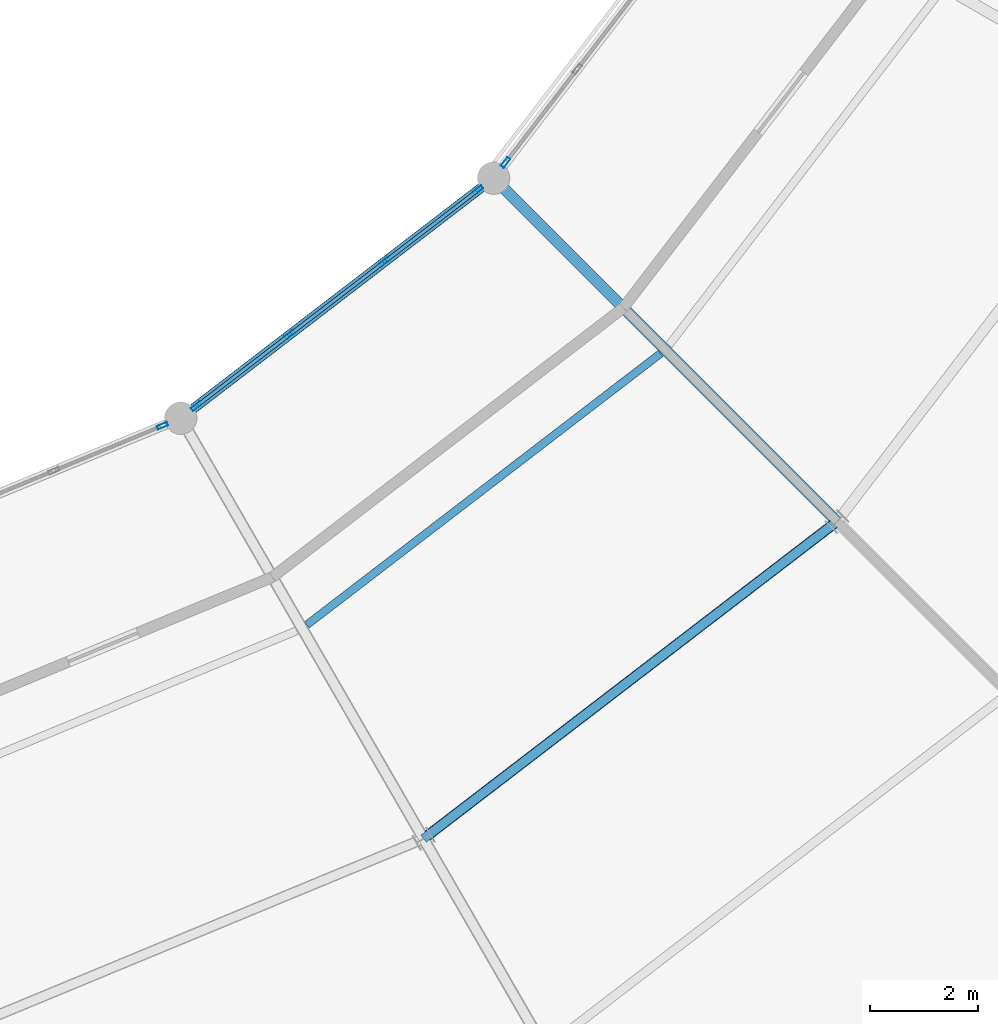
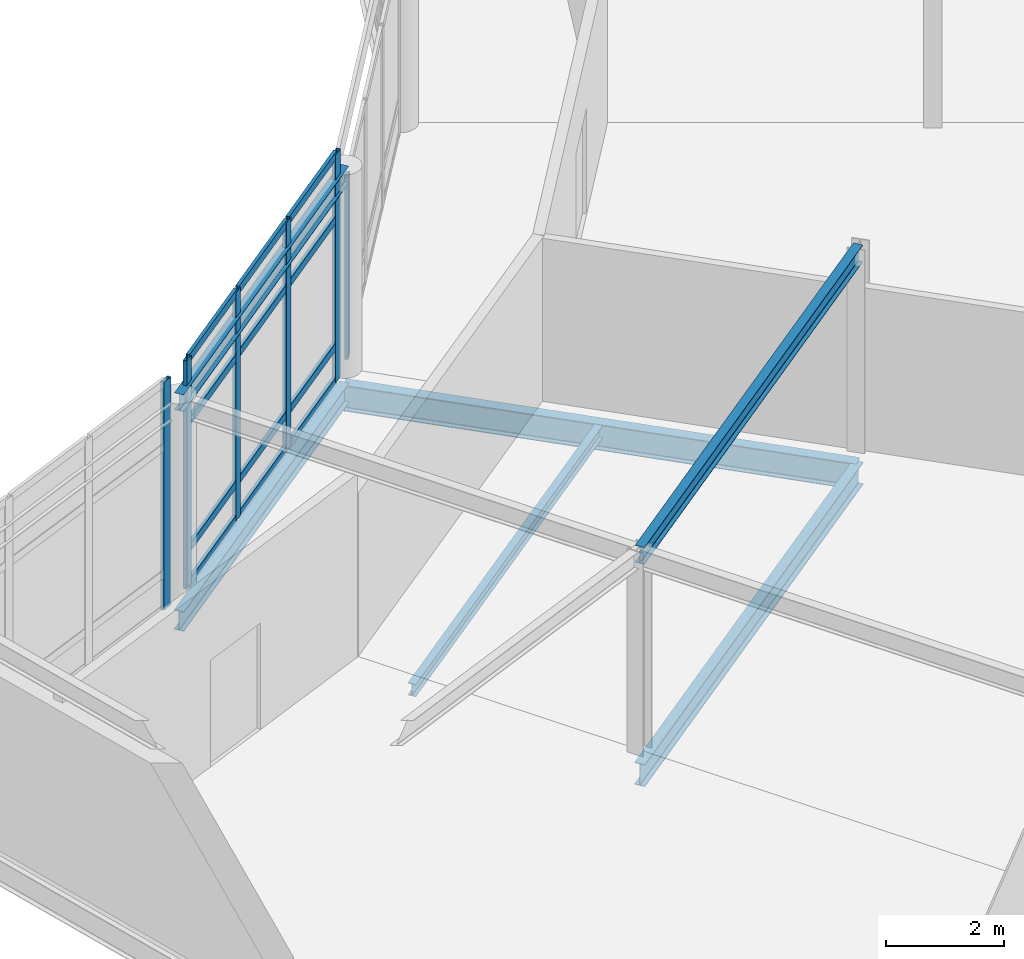
# One storey, part 45 of 170: 18 members, 6 beams, 3 elements without a shape of their own.
"""IFC4 building model written with IfcOpenShell, lengths in metres."""

from ifc_helpers import new_model, si_unit, direction, frame, origin, origin_2d, place, context, subcontext, project, spatial, hollow_rectangle, i_section, extrude, material, material_profile, profile_set, type_object, element, aggregate, save


model = new_model("IFC4")

# Units and contexts
model_context = context("Model", 3, precision=1e-05, world=origin(), true_north=direction((0.0, 1.0)))
body_context = subcontext(model_context, "Body", "Model", "MODEL_VIEW")
ifc_project = project(units=[si_unit("LENGTHUNIT", "METRE"), si_unit("AREAUNIT", "SQUARE_METRE"), si_unit("VOLUMEUNIT", "CUBIC_METRE"), si_unit("PLANEANGLEUNIT", "RADIAN"), si_unit("MASSUNIT", "GRAM", prefix="KILO")], contexts=[model_context])

# Site, building, storey
site_placement = place(None, origin())
site = spatial("IfcSite", under=ifc_project, at=site_placement, CompositionType="ELEMENT")
building_placement = place(site_placement, origin())
building = spatial("IfcBuilding", under=site, at=building_placement, Name="Vondelvale Polytechnic", CompositionType="ELEMENT")
storey_placement = place(building_placement, frame((0.0, 0.0, 5.39990234375)))
storey = spatial("IfcBuildingStorey", under=building, at=storey_placement, Name="L01", CompositionType="ELEMENT", Elevation=5.39990234375)

# Beams
ifc_material_1 = material(Name="Steel 300PLUS (fy = 300 MPa)", Category="steel")
ifc_material_profile_1 = material_profile(ifc_material_1, i_section(OverallWidth=0.1708984375, OverallDepth=0.35205078125, WebThickness=0.0068359375, FlangeThickness=0.009765625, FilletRadius=0.011474609375, at=origin_2d()), Name="360UB44.7")
ifc_profile_set_1 = profile_set([ifc_material_profile_1], Name="Steel 300PLUS (fy = 300 MPa)")
beam_type_1 = type_object("IfcBeamType", Name="BM-UB360L", PredefinedType="BEAM", material=ifc_profile_set_1)
beam_1_placement = place(storey_placement, frame((116.0, 47.751220703125, 4.024169921875), z_axis=(0.793358469083, 0.608754744979, 0.0), x_axis=(-0.608754744979, 0.793358469083, 0.0)))
element("IfcBeam", 1, at=beam_1_placement, inside=storey, type_object=beam_type_1, Name="L01 RE B-24", PredefinedType="BEAM", context=body_context, shape_type="SweptSolid", body=[
    extrude(i_section(OverallWidth=0.1708984375, OverallDepth=0.35205078125, WebThickness=0.0068359375, FlangeThickness=0.009765625, FilletRadius=0.011474609375, at=origin_2d()), origin(), (0.0, 0.0, 1.0), 7.3095703125),
])
beam_2_placement = place(storey_placement, frame((120.5, 39.95703125, 4.024169921875), z_axis=(0.793363832402, 0.60874775518, 0.0), x_axis=(-0.60874775518, 0.793363832402, 0.0)))
element("IfcBeam", 2, at=beam_2_placement, inside=storey, type_object=beam_type_1, Name="L01 RE B-24", PredefinedType="BEAM", context=body_context, shape_type="SweptSolid", body=[
    extrude(i_section(OverallWidth=0.1708984375, OverallDepth=0.35205078125, WebThickness=0.0068359375, FlangeThickness=0.009765625, FilletRadius=0.011474609375, at=origin_2d()), origin(), (0.0, 0.0, 1.0), 9.658935546875),
])
ifc_material_profile_2 = material_profile(ifc_material_1, i_section(OverallWidth=0.177978515625, OverallDepth=0.406005859375, WebThickness=0.0078125, FlangeThickness=0.0126953125, FilletRadius=0.011474609375, at=origin_2d()), Name="410UB59.7")
ifc_profile_set_2 = profile_set([ifc_material_profile_2], Name="Steel 300PLUS (fy = 300 MPa)")
beam_type_2 = type_object("IfcBeamType", Name="BM-UB410", PredefinedType="BEAM", material=ifc_profile_set_2)
beam_3_placement = place(storey_placement, frame((116.0, 47.751220703125, -0.48291015625), z_axis=(0.793358469083, 0.608754744979, 0.0), x_axis=(-0.608754744979, 0.793358469083, 0.0)))
element("IfcBeam", 3, at=beam_3_placement, inside=storey, type_object=beam_type_2, Name="L01 RB B-14", PredefinedType="BEAM", context=body_context, shape_type="SweptSolid", body=[
    extrude(i_section(OverallWidth=0.177978515625, OverallDepth=0.406005859375, WebThickness=0.0078125, FlangeThickness=0.0126953125, FilletRadius=0.011474609375, at=origin_2d()), origin(), (0.0, 0.0, 1.0), 7.3095703125),
])
ifc_material_profile_3 = material_profile(ifc_material_1, i_section(OverallWidth=0.19091796875, OverallDepth=0.4599609375, WebThickness=0.010009765625, FlangeThickness=0.01611328125, FilletRadius=0.011474609375, at=origin_2d()), Name="460UB82.1")
ifc_profile_set_3 = profile_set([ifc_material_profile_3], Name="Steel 300PLUS (fy = 300 MPa)")
beam_type_3 = type_object("IfcBeamType", Name="BM-UB460H", PredefinedType="BEAM", material=ifc_profile_set_3)
beam_4_placement = place(storey_placement, frame((120.5, 39.95703125, -0.510009765625), z_axis=(0.793363832402, 0.60874775518, 0.0), x_axis=(-0.60874775518, 0.793363832402, 0.0)))
element("IfcBeam", 4, at=beam_4_placement, inside=storey, type_object=beam_type_3, Name="L01 RB B-12", PredefinedType="BEAM", context=body_context, shape_type="SweptSolid", body=[
    extrude(i_section(OverallWidth=0.19091796875, OverallDepth=0.4599609375, WebThickness=0.010009765625, FlangeThickness=0.01611328125, FilletRadius=0.011474609375, at=origin_2d()), origin(), (0.0, 0.0, 1.0), 9.658935546875),
])
ifc_material_profile_4 = material_profile(ifc_material_1, i_section(OverallWidth=0.208984375, OverallDepth=0.532958984375, WebThickness=0.01025390625, FlangeThickness=0.015625, FilletRadius=0.013916015625, at=origin_2d()), Name="530UB92.4")
ifc_profile_set_4 = profile_set([ifc_material_profile_4], Name="Steel 300PLUS (fy = 300 MPa)")
beam_type_4 = type_object("IfcBeamType", Name="BM-UB530", PredefinedType="BEAM", material=ifc_profile_set_4)
beam_5_placement = place(storey_placement, frame((121.799072265625, 52.200927734375, -0.54638671875), z_axis=(0.707106781187, -0.707106781187, 0.0), x_axis=(0.707106781187, 0.707106781187, 0.0)))
element("IfcBeam", 5, at=beam_5_placement, inside=storey, type_object=beam_type_4, Name="L01 RG B-11", PredefinedType="BEAM", context=body_context, shape_type="SweptSolid", body=[
    extrude(i_section(OverallWidth=0.208984375, OverallDepth=0.532958984375, WebThickness=0.01025390625, FlangeThickness=0.015625, FilletRadius=0.013916015625, at=origin_2d()), origin(), (0.0, 0.0, 1.0), 9.0),
])

# Curtain wall, member
ifc_material_2 = material(Name="Anodised extruded aluminium 6063-T6", Category="aluminium")
curtain_wall_type = type_object("IfcCurtainWallType", Name="CW-RING-CLOISTER", PredefinedType="NOTDEFINED", material=ifc_material_2)
curtain_wall_1_placement = place(storey_placement, origin())
curtain_wall_1 = element("IfcCurtainWall", 6, at=curtain_wall_1_placement, inside=storey, type_object=curtain_wall_type, Name="L01 architectural curtain wall CW-03-337", PredefinedType="NOTDEFINED")
ifc_material_profile_5 = material_profile(ifc_material_2, hollow_rectangle(XDim=0.070068359375, YDim=0.199951171875, WallThickness=0.00390625, at=origin_2d()), Name="CW-MUL-200x70")
ifc_profile_set_5 = profile_set([ifc_material_profile_5], Name="Anodised extruded aluminium 6063-T6")
member_type_1 = type_object("IfcMemberType", Name="CW-MUL-70x200", PredefinedType="MULLION", material=ifc_profile_set_5)
member_1_placement = place(storey_placement, frame((115.662841796875, 47.611572265625, 0.0), z_axis=(0.0, 0.0, 1.0), x_axis=(-0.382678531697, 0.923881562419, 0.0)))
member_1 = element("IfcMember", 7, at=member_1_placement, type_object=member_type_1, Name="CW-03-337 mullion 4", PredefinedType="MULLION", context=body_context, shape_type="SweptSolid", body=[
    extrude(hollow_rectangle(XDim=0.070068359375, YDim=0.199951171875, WallThickness=0.00390625, at=origin_2d()), origin(), (0.0, 0.0, 1.0), 4.71337890625),
])
aggregate(curtain_wall_1, [member_1])

# Curtain wall, members
curtain_wall_2_placement = place(storey_placement, origin())
curtain_wall_2 = element("IfcCurtainWall", 8, at=curtain_wall_2_placement, inside=storey, type_object=curtain_wall_type, Name="L01 architectural curtain wall CW-03-344", PredefinedType="NOTDEFINED")
member_2_placement = place(storey_placement, frame((116.28857421875, 47.97265625, 0.0), z_axis=(0.0, 0.0, 1.0), x_axis=(-0.608747717793, 0.793363861089, 0.0)))
member_2 = element("IfcMember", 9, at=member_2_placement, type_object=member_type_1, Name="CW-03-344 mullion 1", PredefinedType="MULLION", context=body_context, shape_type="SweptSolid", body=[
    extrude(hollow_rectangle(XDim=0.070068359375, YDim=0.199951171875, WallThickness=0.00390625, at=origin_2d()), origin(), (0.0, 0.0, 1.0), 4.71337890625),
])
member_3_placement = place(storey_placement, frame((118.02001953125, 49.30126953125, 0.0), z_axis=(0.0, 0.0, 1.0), x_axis=(-0.608747717793, 0.793363861089, 0.0)))
member_3 = element("IfcMember", 10, at=member_3_placement, type_object=member_type_1, Name="CW-03-344 mullion 2", PredefinedType="MULLION", context=body_context, shape_type="SweptSolid", body=[
    extrude(hollow_rectangle(XDim=0.070068359375, YDim=0.199951171875, WallThickness=0.00390625, at=origin_2d()), origin(), (0.0, 0.0, 1.0), 4.71337890625),
])
member_4_placement = place(storey_placement, frame((119.779052734375, 50.651123046875, 0.0), z_axis=(0.0, 0.0, 1.0), x_axis=(-0.608747717793, 0.793363861089, 0.0)))
member_4 = element("IfcMember", 11, at=member_4_placement, type_object=member_type_1, Name="CW-03-344 mullion 3", PredefinedType="MULLION", context=body_context, shape_type="SweptSolid", body=[
    extrude(hollow_rectangle(XDim=0.070068359375, YDim=0.199951171875, WallThickness=0.00390625, at=origin_2d()), origin(), (0.0, 0.0, 1.0), 4.71337890625),
])
member_5_placement = place(storey_placement, frame((121.510498046875, 51.9794921875, 0.0), z_axis=(0.0, 0.0, 1.0), x_axis=(-0.608747717793, 0.793363861089, 0.0)))
member_5 = element("IfcMember", 12, at=member_5_placement, type_object=member_type_1, Name="CW-03-344 mullion 4", PredefinedType="MULLION", context=body_context, shape_type="SweptSolid", body=[
    extrude(hollow_rectangle(XDim=0.070068359375, YDim=0.199951171875, WallThickness=0.00390625, at=origin_2d()), origin(), (0.0, 0.0, 1.0), 4.71337890625),
])

# Curtain wall, member
curtain_wall_3_placement = place(storey_placement, origin())
curtain_wall_3 = element("IfcCurtainWall", 13, at=curtain_wall_3_placement, inside=storey, type_object=curtain_wall_type, Name="L01 architectural curtain wall CW-03-351", PredefinedType="NOTDEFINED")
member_6_placement = place(storey_placement, frame((122.0205078125, 52.489501953125, 0.0), z_axis=(0.0, 0.0, 1.0), x_axis=(-0.793363861089, 0.608747717793, 0.0)))
member_6 = element("IfcMember", 14, at=member_6_placement, type_object=member_type_1, Name="CW-03-351 mullion 1", PredefinedType="MULLION", context=body_context, shape_type="SweptSolid", body=[
    extrude(hollow_rectangle(XDim=0.070068359375, YDim=0.199951171875, WallThickness=0.00390625, at=origin_2d()), origin(), (0.0, 0.0, 1.0), 3.75),
])
aggregate(curtain_wall_3, [member_6])

# Member
ifc_material_profile_6 = material_profile(ifc_material_2, hollow_rectangle(XDim=0.06494140625, YDim=0.159912109375, WallThickness=0.00341796875, at=origin_2d()), Name="CW-TRN-160x65")
ifc_profile_set_6 = profile_set([ifc_material_profile_6], Name="Anodised extruded aluminium 6063-T6")
member_type_2 = type_object("IfcMemberType", Name="CW-TRN-70x160", PredefinedType="USERDEFINED", material=ifc_profile_set_6)
member_7_placement = place(storey_placement, frame((116.316162109375, 47.993896484375, 0.03271484375), z_axis=(0.793336583571, 0.608783266169, 0.0), x_axis=(-0.608783266169, 0.793336583571, 0.0)))
member_7 = element("IfcMember", 15, at=member_7_placement, type_object=member_type_2, Name="CW-03-344 transom 1.1", ObjectType="TRANSOM", PredefinedType="USERDEFINED", context=body_context, shape_type="SweptSolid", body=[
    extrude(hollow_rectangle(XDim=0.06494140625, YDim=0.159912109375, WallThickness=0.00341796875, at=origin_2d()), origin(), (0.0, 0.0, 1.0), 2.112548828125),
])

member_8_placement = place(storey_placement, frame((116.316162109375, 47.993896484375, 0.75), z_axis=(0.793336583571, 0.608783266169, 0.0), x_axis=(-0.608783266169, 0.793336583571, 0.0)))
member_8 = element("IfcMember", 16, at=member_8_placement, type_object=member_type_2, Name="CW-03-344 transom 1.2", ObjectType="TRANSOM", PredefinedType="USERDEFINED", context=body_context, shape_type="SweptSolid", body=[
    extrude(hollow_rectangle(XDim=0.06494140625, YDim=0.159912109375, WallThickness=0.00341796875, at=origin_2d()), origin(), (0.0, 0.0, 1.0), 2.112548828125),
])

member_9_placement = place(storey_placement, frame((116.316162109375, 47.993896484375, 3.36328125), z_axis=(0.793336583571, 0.608783266169, 0.0), x_axis=(-0.608783266169, 0.793336583571, 0.0)))
member_9 = element("IfcMember", 17, at=member_9_placement, type_object=member_type_2, Name="CW-03-344 transom 1.3", ObjectType="TRANSOM", PredefinedType="USERDEFINED", context=body_context, shape_type="SweptSolid", body=[
    extrude(hollow_rectangle(XDim=0.06494140625, YDim=0.159912109375, WallThickness=0.00341796875, at=origin_2d()), origin(), (0.0, 0.0, 1.0), 2.112548828125),
])

member_10_placement = place(storey_placement, frame((116.316162109375, 47.993896484375, 4.680908203125), z_axis=(0.793336583571, 0.608783266169, 0.0), x_axis=(-0.608783266169, 0.793336583571, 0.0)))
member_10 = element("IfcMember", 18, at=member_10_placement, type_object=member_type_2, Name="CW-03-344 transom 1.4", ObjectType="TRANSOM", PredefinedType="USERDEFINED", context=body_context, shape_type="SweptSolid", body=[
    extrude(hollow_rectangle(XDim=0.06494140625, YDim=0.159912109375, WallThickness=0.00341796875, at=origin_2d()), origin(), (0.0, 0.0, 1.0), 2.112548828125),
])

member_11_placement = place(storey_placement, frame((118.047607421875, 49.322509765625, 0.03271484375), z_axis=(0.793375728306, 0.608732251269, 0.0), x_axis=(-0.608732251269, 0.793375728306, 0.0)))
member_11 = element("IfcMember", 19, at=member_11_placement, type_object=member_type_2, Name="CW-03-344 transom 2.1", ObjectType="TRANSOM", PredefinedType="USERDEFINED", context=body_context, shape_type="SweptSolid", body=[
    extrude(hollow_rectangle(XDim=0.06494140625, YDim=0.159912109375, WallThickness=0.00341796875, at=origin_2d()), origin(), (0.0, 0.0, 1.0), 2.147216796875),
])

member_12_placement = place(storey_placement, frame((118.047607421875, 49.322509765625, 0.75), z_axis=(0.793375728306, 0.608732251269, 0.0), x_axis=(-0.608732251269, 0.793375728306, 0.0)))
member_12 = element("IfcMember", 20, at=member_12_placement, type_object=member_type_2, Name="CW-03-344 transom 2.2", ObjectType="TRANSOM", PredefinedType="USERDEFINED", context=body_context, shape_type="SweptSolid", body=[
    extrude(hollow_rectangle(XDim=0.06494140625, YDim=0.159912109375, WallThickness=0.00341796875, at=origin_2d()), origin(), (0.0, 0.0, 1.0), 2.147216796875),
])

member_13_placement = place(storey_placement, frame((118.047607421875, 49.322509765625, 3.36328125), z_axis=(0.793375728306, 0.608732251269, 0.0), x_axis=(-0.608732251269, 0.793375728306, 0.0)))
member_13 = element("IfcMember", 21, at=member_13_placement, type_object=member_type_2, Name="CW-03-344 transom 2.3", ObjectType="TRANSOM", PredefinedType="USERDEFINED", context=body_context, shape_type="SweptSolid", body=[
    extrude(hollow_rectangle(XDim=0.06494140625, YDim=0.159912109375, WallThickness=0.00341796875, at=origin_2d()), origin(), (0.0, 0.0, 1.0), 2.147216796875),
])

member_14_placement = place(storey_placement, frame((118.047607421875, 49.322509765625, 4.680908203125), z_axis=(0.793375728306, 0.608732251269, 0.0), x_axis=(-0.608732251269, 0.793375728306, 0.0)))
member_14 = element("IfcMember", 22, at=member_14_placement, type_object=member_type_2, Name="CW-03-344 transom 2.4", ObjectType="TRANSOM", PredefinedType="USERDEFINED", context=body_context, shape_type="SweptSolid", body=[
    extrude(hollow_rectangle(XDim=0.06494140625, YDim=0.159912109375, WallThickness=0.00341796875, at=origin_2d()), origin(), (0.0, 0.0, 1.0), 2.147216796875),
])

member_15_placement = place(storey_placement, frame((119.806884765625, 50.67236328125, 0.03271484375), z_axis=(0.793349569285, 0.608766343448, 0.0), x_axis=(-0.608766343448, 0.793349569285, 0.0)))
member_15 = element("IfcMember", 23, at=member_15_placement, type_object=member_type_2, Name="CW-03-344 transom 3.1", ObjectType="TRANSOM", PredefinedType="USERDEFINED", context=body_context, shape_type="SweptSolid", body=[
    extrude(hollow_rectangle(XDim=0.06494140625, YDim=0.159912109375, WallThickness=0.00341796875, at=origin_2d()), origin(), (0.0, 0.0, 1.0), 2.1123046875),
])

member_16_placement = place(storey_placement, frame((119.806884765625, 50.67236328125, 0.75), z_axis=(0.793349569285, 0.608766343448, 0.0), x_axis=(-0.608766343448, 0.793349569285, 0.0)))
member_16 = element("IfcMember", 24, at=member_16_placement, type_object=member_type_2, Name="CW-03-344 transom 3.2", ObjectType="TRANSOM", PredefinedType="USERDEFINED", context=body_context, shape_type="SweptSolid", body=[
    extrude(hollow_rectangle(XDim=0.06494140625, YDim=0.159912109375, WallThickness=0.00341796875, at=origin_2d()), origin(), (0.0, 0.0, 1.0), 2.1123046875),
])

member_17_placement = place(storey_placement, frame((119.806884765625, 50.67236328125, 3.36328125), z_axis=(0.793349569285, 0.608766343448, 0.0), x_axis=(-0.608766343448, 0.793349569285, 0.0)))
member_17 = element("IfcMember", 25, at=member_17_placement, type_object=member_type_2, Name="CW-03-344 transom 3.3", ObjectType="TRANSOM", PredefinedType="USERDEFINED", context=body_context, shape_type="SweptSolid", body=[
    extrude(hollow_rectangle(XDim=0.06494140625, YDim=0.159912109375, WallThickness=0.00341796875, at=origin_2d()), origin(), (0.0, 0.0, 1.0), 2.1123046875),
])

member_18_placement = place(storey_placement, frame((119.806884765625, 50.67236328125, 4.680908203125), z_axis=(0.793349569285, 0.608766343448, 0.0), x_axis=(-0.608766343448, 0.793349569285, 0.0)))
member_18 = element("IfcMember", 26, at=member_18_placement, type_object=member_type_2, Name="CW-03-344 transom 3.4", ObjectType="TRANSOM", PredefinedType="USERDEFINED", context=body_context, shape_type="SweptSolid", body=[
    extrude(hollow_rectangle(XDim=0.06494140625, YDim=0.159912109375, WallThickness=0.00341796875, at=origin_2d()), origin(), (0.0, 0.0, 1.0), 2.1123046875),
])

aggregate(curtain_wall_2, [member_2, member_3, member_4, member_5, member_7, member_8, member_9, member_10, member_11, member_12, member_13, member_14, member_15, member_16, member_17, member_18])

# Beam
ifc_material_profile_7 = material_profile(ifc_material_1, i_section(OverallWidth=0.14599609375, OverallDepth=0.256103515625, WebThickness=0.00634765625, FlangeThickness=0.010986328125, FilletRadius=0.0087890625, at=origin_2d()), Name="250UB37.3")
ifc_profile_set_7 = profile_set([ifc_material_profile_7], Name="Steel 300PLUS (fy = 300 MPa)")
beam_type_5 = type_object("IfcBeamType", Name="JST-UB250", PredefinedType="JOIST", material=ifc_profile_set_7)
beam_6_placement = place(storey_placement, frame((118.33740234375, 43.921142578125, -0.407958984375), z_axis=(0.793361419587, 0.608750899721, 0.0), x_axis=(-0.608750899721, 0.793361419587, 0.0)))
element("IfcBeam", 27, at=beam_6_placement, inside=storey, type_object=beam_type_5, Name="L01 RJ J-06", PredefinedType="JOIST", context=body_context, shape_type="SweptSolid", body=[
    extrude(i_section(OverallWidth=0.14599609375, OverallDepth=0.256103515625, WebThickness=0.00634765625, FlangeThickness=0.010986328125, FilletRadius=0.0087890625, at=origin_2d()), origin(), (0.0, 0.0, 1.0), 8.26416015625),
])

save(model, "model.ifc")
